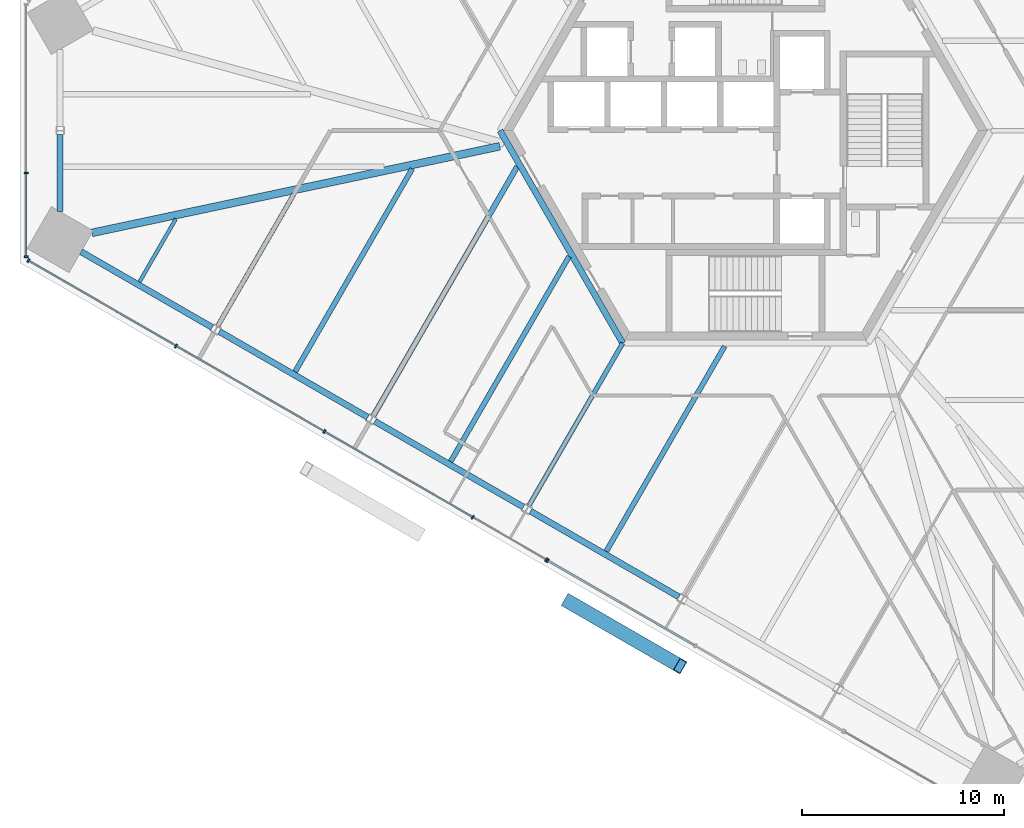
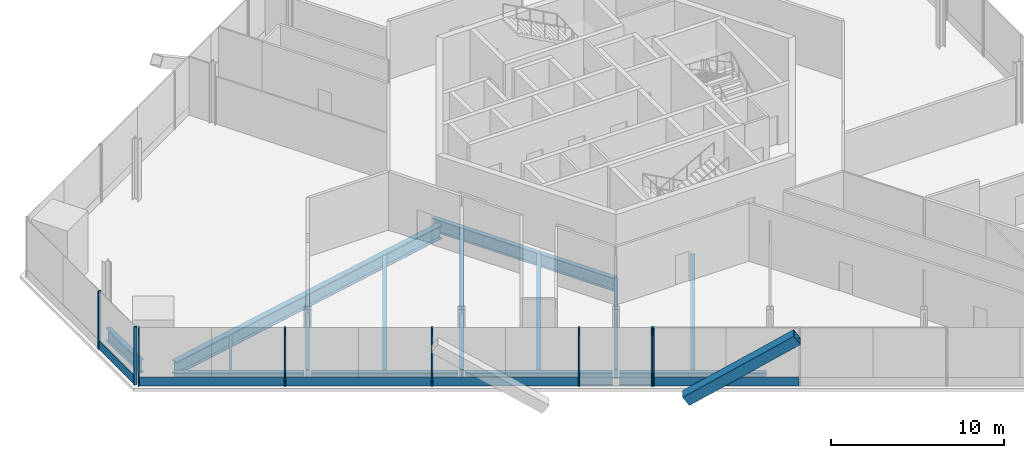
# One storey, part 3 of 16: 14 beams, 14 members, 3 elements without a shape of their own.
"""IFC4 building model written with IfcOpenShell, lengths in metres."""

from ifc_helpers import new_model, si_unit, direction, frame, origin, origin_2d, place, context, subcontext, project, spatial, rectangle, hollow_rectangle, i_section, extrude, source, transform, mapped, material, material_profile, profile_set, type_object, element, aggregate, save


model = new_model("IFC4")

# Units and contexts
model_context = context("Model", 3, precision=1e-05, world=origin(), true_north=direction((0.0, 1.0)))
body_context = subcontext(model_context, "Body", "Model", "MODEL_VIEW")
ifc_project = project(units=[si_unit("LENGTHUNIT", "METRE"), si_unit("AREAUNIT", "SQUARE_METRE"), si_unit("VOLUMEUNIT", "CUBIC_METRE"), si_unit("PLANEANGLEUNIT", "RADIAN"), si_unit("MASSUNIT", "GRAM", prefix="KILO")], contexts=[model_context])

# Site, building, storey
site_placement = place(None, origin())
site = spatial("IfcSite", under=ifc_project, at=site_placement, CompositionType="ELEMENT")
building_placement = place(site_placement, origin())
building = spatial("IfcBuilding", under=site, at=building_placement, Name="Triune Harvest Tower", CompositionType="ELEMENT")
storey_placement = place(building_placement, frame((0.0, 0.0, 37.5)))
storey = spatial("IfcBuildingStorey", under=building, at=storey_placement, Name="L08", CompositionType="ELEMENT", Elevation=37.5)

# Beams
ifc_material_1 = material(Name="Steel ASTM A992 Gr 50", Category="steel")
ifc_material_profile_1 = material_profile(ifc_material_1, i_section(OverallWidth=0.3046875, OverallDepth=0.914306640625, WebThickness=0.0166015625, FlangeThickness=0.02587890625, at=origin_2d()), Name="W36x160")
ifc_profile_set_1 = profile_set([ifc_material_profile_1], Name="Steel ASTM A992 Gr 50")
beam_type_1 = type_object("IfcBeamType", Name="CG-1 Core ring girder W36x160", PredefinedType="BEAM", material=ifc_profile_set_1)
shared_shape_1 = source(origin(), body_context, "Body", "SweptSolid", [
    extrude(i_section(OverallWidth=0.3046875, OverallDepth=0.914306640625, WebThickness=0.0166015625, FlangeThickness=0.02587890625, at=origin_2d()), origin(), (0.0, 0.0, 1.0), 12.176025390625),
])
beam_1_placement = place(storey_placement, frame((-12.176025390625, 0.0, -0.6572265625), z_axis=(0.5000099932, -0.866019634131, 0.0), x_axis=(0.866019634131, 0.5000099932, 0.0)))
element("IfcBeam", 1, at=beam_1_placement, inside=storey, type_object=beam_type_1, Name="beam/L08/CG4", PredefinedType="BEAM", context=body_context, shape_type="MappedRepresentation", body=[
    mapped(shared_shape_1, transform((0.0, 0.0, 0.0), scale=1.0)),
])
ifc_material_2 = material(Name="Steel ASTM A992 Gr 50", Category="steel")
ifc_material_profile_2 = material_profile(ifc_material_2, i_section(OverallWidth=0.383544921875, OverallDepth=0.9423828125, WebThickness=0.022216796875, FlangeThickness=0.039794921875, at=origin_2d()), Name="W36x232")
ifc_profile_set_2 = profile_set([ifc_material_profile_2], Name="Steel ASTM A992 Gr 50")
beam_type_2 = type_object("IfcBeamType", Name="HG-1 Hip girder W36x232", PredefinedType="BEAM", material=ifc_profile_set_2)
shared_shape_2 = source(origin(), body_context, "Body", "SweptSolid", [
    extrude(i_section(OverallWidth=0.383544921875, OverallDepth=0.9423828125, WebThickness=0.022216796875, FlangeThickness=0.039794921875, at=origin_2d()), origin(), (0.0, 0.0, 1.0), 20.676025390625),
])
beam_2_placement = place(storey_placement, frame((-32.4091796875, -5.07470703125, -0.671142578125), z_axis=(0.978185071399, 0.207735327022, 0.0), x_axis=(-0.207735327022, 0.978185071399, 0.0)))
element("IfcBeam", 2, at=beam_2_placement, inside=storey, type_object=beam_type_2, Name="beam/L08/HG5", PredefinedType="BEAM", context=body_context, shape_type="MappedRepresentation", body=[
    mapped(shared_shape_2, transform((0.0, 0.0, 0.0), scale=1.0)),
])
ifc_material_3 = material(Name="Steel ASTM A992 Gr 50", Category="steel")
ifc_material_profile_3 = material_profile(ifc_material_3, i_section(OverallWidth=0.22900390625, OverallDepth=0.612060546875, WebThickness=0.011962890625, FlangeThickness=0.01953125, at=origin_2d()), Name="W24x84")
ifc_profile_set_3 = profile_set([ifc_material_profile_3], Name="Steel ASTM A992 Gr 50")
beam_type_3 = type_object("IfcBeamType", Name="JT-3 Floor joist W24x84", PredefinedType="JOIST", material=ifc_profile_set_3)
shared_shape_3 = source(origin(), body_context, "Body", "SweptSolid", [
    extrude(i_section(OverallWidth=0.22900390625, OverallDepth=0.612060546875, WebThickness=0.011962890625, FlangeThickness=0.01953125, at=origin_2d()), origin(), (0.0, 0.0, 1.0), 7.558349609375),
])
beam_3_placement = place(storey_placement, frame((-26.170654296875, -9.68896484375, -0.506103515625), z_axis=(0.499991809969, 0.866030132249, 0.0), x_axis=(-0.866030132249, 0.499991809969, 0.0)))
element("IfcBeam", 3, at=beam_3_placement, inside=storey, type_object=beam_type_3, Name="beam/L08/JT28", PredefinedType="JOIST", context=body_context, shape_type="MappedRepresentation", body=[
    mapped(shared_shape_3, transform((0.0, 0.0, 0.0), scale=1.0)),
])
ifc_material_4 = material(Name="Steel ASTM A992 Gr 50", Category="steel")
ifc_material_profile_4 = material_profile(ifc_material_4, i_section(OverallWidth=0.2666015625, OverallDepth=0.7568359375, WebThickness=0.013916015625, FlangeThickness=0.019287109375, at=origin_2d()), Name="W30x108")
ifc_profile_set_4 = profile_set([ifc_material_profile_4], Name="Steel ASTM A992 Gr 50")
beam_type_4 = type_object("IfcBeamType", Name="JT-5 Floor joist W30x108", PredefinedType="JOIST", material=ifc_profile_set_4)
shared_shape_4 = source(origin(), body_context, "Body", "SweptSolid", [
    extrude(i_section(OverallWidth=0.2666015625, OverallDepth=0.7568359375, WebThickness=0.013916015625, FlangeThickness=0.019287109375, at=origin_2d()), origin(), (0.0, 0.0, 1.0), 14.2685546875),
])
beam_4_placement = place(storey_placement, frame((-18.454345703125, -14.14404296875, -0.57861328125), z_axis=(0.499987083308, 0.866032861112, 0.0), x_axis=(-0.866032861112, 0.499987083308, 0.0)))
element("IfcBeam", 4, at=beam_4_placement, inside=storey, type_object=beam_type_4, Name="beam/L08/JT30", PredefinedType="JOIST", context=body_context, shape_type="MappedRepresentation", body=[
    mapped(shared_shape_4, transform((0.0, 0.0, 0.0), scale=1.0)),
])
shared_shape_5 = source(origin(), body_context, "Body", "SweptSolid", [
    extrude(i_section(OverallWidth=0.22900390625, OverallDepth=0.612060546875, WebThickness=0.011962890625, FlangeThickness=0.01953125, at=origin_2d()), origin(), (0.0, 0.0, 1.0), 9.300537109375),
])
beam_5_placement = place(storey_placement, frame((-10.738037109375, -18.59912109375, -0.506103515625), z_axis=(0.49999285859, 0.86602952684, 0.0), x_axis=(-0.86602952684, 0.49999285859, 0.0)))
element("IfcBeam", 5, at=beam_5_placement, inside=storey, type_object=beam_type_3, Name="beam/L08/JT32", PredefinedType="JOIST", context=body_context, shape_type="MappedRepresentation", body=[
    mapped(shared_shape_5, transform((0.0, 0.0, 0.0), scale=1.0)),
])
ifc_material_5 = material(Name="Steel ASTM A992 Gr 50", Category="steel")
ifc_material_profile_5 = material_profile(ifc_material_5, i_section(OverallWidth=0.3046875, OverallDepth=0.914306640625, WebThickness=0.0166015625, FlangeThickness=0.02587890625, at=origin_2d()), Name="W36x160")
ifc_profile_set_5 = profile_set([ifc_material_profile_5], Name="Steel ASTM A992 Gr 50")
beam_type_5 = type_object("IfcBeamType", Name="SB-1 Spandrel beam W36x160", PredefinedType="SPANDREL", material=ifc_profile_set_5)
shared_shape_6 = source(origin(), body_context, "Body", "SweptSolid", [
    extrude(i_section(OverallWidth=0.3046875, OverallDepth=0.914306640625, WebThickness=0.0166015625, FlangeThickness=0.02587890625, at=origin_2d()), origin(), (0.0, 0.0, 1.0), 7.508056640625),
])
beam_6_placement = place(storey_placement, frame((-32.949462890625, -6.010009765625, -0.6572265625), z_axis=(0.866033425553, -0.499986105632, 0.0), x_axis=(0.499986105632, 0.866033425553, 0.0)))
element("IfcBeam", 6, at=beam_6_placement, inside=storey, type_object=beam_type_5, Name="beam/L08/SB17", PredefinedType="SPANDREL", context=body_context, shape_type="MappedRepresentation", body=[
    mapped(shared_shape_6, transform((0.0, 0.0, 0.0), scale=1.0)),
])
shared_shape_7 = source(origin(), body_context, "Body", "SweptSolid", [
    extrude(i_section(OverallWidth=0.3046875, OverallDepth=0.914306640625, WebThickness=0.0166015625, FlangeThickness=0.02587890625, at=origin_2d()), origin(), (0.0, 0.0, 1.0), 8.506103515625),
])
for number, where, z_axis, x_axis, name in (
    (7, (-26.097412109375, -9.966064453125, -0.6572265625), (0.866030246746, -0.49999161165, 0.0), (0.49999161165, 0.866030246746, 0.0), "beam/L08/SB18"),
    (8, (-18.381103515625, -14.4208984375, -0.6572265625), (0.866017818397, -0.500013138047, 0.0), (0.500013138047, 0.866017818397, 0.0), "beam/L08/SB19"),
    (9, (-10.664794921875, -18.8759765625, -0.6572265625), (0.866030246746, -0.49999161165, 0.0), (0.49999161165, 0.866030246746, 0.0), "beam/L08/SB20"),
):
    element("IfcBeam", number, at=place(storey_placement, frame(where, z_axis=z_axis, x_axis=x_axis)), inside=storey, type_object=beam_type_5, Name=name, PredefinedType="SPANDREL", context=body_context, shape_type="MappedRepresentation", body=[
        mapped(shared_shape_7, transform((0.0, 0.0, 0.0), scale=1.0)),
    ])
shared_shape_8 = source(origin(), body_context, "Body", "SweptSolid", [
    extrude(i_section(OverallWidth=0.3046875, OverallDepth=0.914306640625, WebThickness=0.0166015625, FlangeThickness=0.02587890625, at=origin_2d()), origin(), (0.0, 0.0, 1.0), 3.822509765625),
])
beam_7_placement = place(storey_placement, frame((-33.988525390625, -0.201904296875, -0.6572265625), z_axis=(0.0, -1.0, 0.0), x_axis=(1.0, 0.0, 0.0)))
element("IfcBeam", 10, at=beam_7_placement, inside=storey, type_object=beam_type_5, Name="beam/L08/SB16", PredefinedType="SPANDREL", context=body_context, shape_type="MappedRepresentation", body=[
    mapped(shared_shape_8, transform((0.0, 0.0, 0.0), scale=1.0)),
])
ifc_material_6 = material(Name="Steel ASTM A992 Gr 50", Category="steel")
ifc_material_profile_6 = material_profile(ifc_material_6, i_section(OverallWidth=0.253662109375, OverallDepth=0.683349609375, WebThickness=0.012451171875, FlangeThickness=0.01904296875, at=origin_2d()), Name="W27x94")
ifc_profile_set_6 = profile_set([ifc_material_profile_6], Name="Steel ASTM A992 Gr 50")
beam_type_6 = type_object("IfcBeamType", Name="JT-4 Floor joist W27x94", PredefinedType="JOIST", material=ifc_profile_set_6)
shared_shape_9 = source(origin(), body_context, "Body", "SweptSolid", [
    extrude(i_section(OverallWidth=0.253662109375, OverallDepth=0.683349609375, WebThickness=0.012451171875, FlangeThickness=0.01904296875, at=origin_2d()), origin(), (0.0, 0.0, 1.0), 11.618896484375),
])
beam_8_placement = place(storey_placement, frame((-22.337890625, -11.96044921875, -0.54150390625), z_axis=(0.500008015982, 0.866020775706, 0.0), x_axis=(-0.866020775706, 0.500008015982, 0.0)))
element("IfcBeam", 11, at=beam_8_placement, inside=storey, type_object=beam_type_6, Name="beam/L08/JT29", PredefinedType="JOIST", context=body_context, shape_type="MappedRepresentation", body=[
    mapped(shared_shape_9, transform((0.0, 0.0, 0.0), scale=1.0)),
])
shared_shape_10 = source(origin(), body_context, "Body", "SweptSolid", [
    extrude(i_section(OverallWidth=0.253662109375, OverallDepth=0.683349609375, WebThickness=0.012451171875, FlangeThickness=0.01904296875, at=origin_2d()), origin(), (0.0, 0.0, 1.0), 11.74755859375),
])
beam_9_placement = place(storey_placement, frame((-6.905517578125, -20.87060546875, -0.54150390625), z_axis=(0.500003693016, 0.86602327161, 0.0), x_axis=(-0.86602327161, 0.500003693016, 0.0)))
element("IfcBeam", 12, at=beam_9_placement, inside=storey, type_object=beam_type_6, Name="beam/L08/JT33", PredefinedType="JOIST", context=body_context, shape_type="MappedRepresentation", body=[
    mapped(shared_shape_10, transform((0.0, 0.0, 0.0), scale=1.0)),
])
shared_shape_11 = source(origin(), body_context, "Body", "SweptSolid", [
    extrude(i_section(OverallWidth=0.253662109375, OverallDepth=0.683349609375, WebThickness=0.012451171875, FlangeThickness=0.01904296875, at=origin_2d()), origin(), (0.0, 0.0, 1.0), 11.7470703125),
])
beam_10_placement = place(storey_placement, frame((-14.62158203125, -16.41552734375, -0.54150390625), z_axis=(0.49999710518, 0.866027075103, 0.0), x_axis=(-0.866027075103, 0.49999710518, 0.0)))
element("IfcBeam", 13, at=beam_10_placement, inside=storey, type_object=beam_type_6, Name="beam/L08/JT31", PredefinedType="JOIST", context=body_context, shape_type="MappedRepresentation", body=[
    mapped(shared_shape_11, transform((0.0, 0.0, 0.0), scale=1.0)),
])
ifc_material_7 = material(Name="Steel ASTM A992 Gr 50", Category="steel")
ifc_material_profile_7 = material_profile(ifc_material_7, i_section(OverallWidth=0.180908203125, OverallDepth=0.41650390625, WebThickness=0.010986328125, FlangeThickness=0.01806640625, at=origin_2d()), Name="W16x57")
ifc_profile_set_7 = profile_set([ifc_material_profile_7], Name="Steel ASTM A992 Gr 50")
beam_type_7 = type_object("IfcBeamType", Name="JT-1 Floor joist W16x57", PredefinedType="JOIST", material=ifc_profile_set_7)
shared_shape_12 = source(origin(), body_context, "Body", "SweptSolid", [
    extrude(i_section(OverallWidth=0.180908203125, OverallDepth=0.41650390625, WebThickness=0.010986328125, FlangeThickness=0.01806640625, at=origin_2d()), origin(), (0.0, 0.0, 1.0), 3.599609375),
])
beam_11_placement = place(storey_placement, frame((-30.05419921875, -7.505615234375, -0.408203125), z_axis=(0.499990559667, 0.866030854095, 0.0), x_axis=(-0.866030854095, 0.499990559667, 0.0)))
element("IfcBeam", 14, at=beam_11_placement, inside=storey, type_object=beam_type_7, Name="beam/L08/JT27", PredefinedType="JOIST", context=body_context, shape_type="MappedRepresentation", body=[
    mapped(shared_shape_12, transform((0.0, 0.0, 0.0), scale=1.0)),
])

# Member
ifc_material_8 = material(Name="Steel ASTM A572 Gr 50", Category="steel")
ifc_material_profile_8 = material_profile(ifc_material_8, hollow_rectangle(XDim=0.699951171875, YDim=0.699951171875, WallThickness=0.0400390625, at=origin_2d()), Name="Box 700x700x40")
ifc_profile_set_8 = profile_set([ifc_material_profile_8], Name="Steel ASTM A572 Gr 50")
member_type_1 = type_object("IfcMemberType", Name="BR-1 Brace Box 700x700x40", PredefinedType="BRACE", material=ifc_profile_set_8)
shared_shape_13 = source(origin(), body_context, "Body", "SweptSolid", [
    extrude(hollow_rectangle(XDim=0.699951171875, YDim=0.699951171875, WallThickness=0.0400390625, at=origin_2d()), origin(), (0.0, 0.0, 1.0), 7.728515625),
])
member_1_placement = place(storey_placement, frame((-8.80322265625, -23.347900390625, 0.0), z_axis=(0.719613461056, -0.415436199576, 0.556389459595), x_axis=(0.499970370671, 0.86604250961, 0.0)))
element("IfcMember", 15, at=member_1_placement, inside=storey, type_object=member_type_1, Name="brace/B1-F5/d1/6", PredefinedType="BRACE", context=body_context, shape_type="MappedRepresentation", body=[
    mapped(shared_shape_13, transform((0.0, 0.0, 0.0), scale=1.0)),
])

# Curtain wall, members
ifc_material_9 = material(Name="Aluminium bronze anodised", Category="aluminium")
curtain_wall_type_1 = type_object("IfcCurtainWallType", Name="CW-3 Farm floor curtain wall", PredefinedType="NOTDEFINED", material=ifc_material_9)
curtain_wall_1_placement = place(storey_placement, origin())
curtain_wall_1 = element("IfcCurtainWall", 16, at=curtain_wall_1_placement, inside=storey, type_object=curtain_wall_type_1, Name="CW-3 B1-F4 L08 run 1")
ifc_material_10 = material(Name="Aluminium bronze anodised", Category="aluminium")
ifc_material_profile_9 = material_profile(ifc_material_10, rectangle(XDim=0.199951171875, YDim=0.080078125, at=origin_2d()), Name="MU-3 mullion 80 x 200")
ifc_profile_set_9 = profile_set([ifc_material_profile_9], Name="Aluminium bronze anodised")
member_type_2 = type_object("IfcMemberType", Name="MU-3 mullion 80 x 200", PredefinedType="MULLION", material=ifc_profile_set_9)
shared_shape_14 = source(origin(), body_context, "Body", "SweptSolid", [
    extrude(rectangle(XDim=0.199951171875, YDim=0.080078125, at=origin_2d()), origin(), (0.0, 0.0, 1.0), 4.10009765625),
])
member_2_placement = place(storey_placement, frame((-35.680419921875, -2.098876953125, 0.0), z_axis=(0.0, 0.0, 1.0), x_axis=(1.0, 0.0, 0.0)))
member_2 = element("IfcMember", 17, at=member_2_placement, type_object=member_type_2, Name="CW-3 mullion B1-F4 1.3", PredefinedType="MULLION", context=body_context, shape_type="MappedRepresentation", body=[
    mapped(shared_shape_14, transform((0.0, 0.0, 0.0), scale=1.0)),
])
member_3_placement = place(storey_placement, frame((-35.680419921875, -6.2568359375, 0.0), z_axis=(0.0, 0.0, 1.0), x_axis=(1.0, 0.0, 0.0)))
member_3 = element("IfcMember", 18, at=member_3_placement, type_object=member_type_2, Name="CW-3 mullion B1-F4 1.4", PredefinedType="MULLION", context=body_context, shape_type="MappedRepresentation", body=[
    mapped(shared_shape_14, transform((0.0, 0.0, 0.0), scale=1.0)),
])

curtain_wall_2_placement = place(storey_placement, origin())
curtain_wall_2 = element("IfcCurtainWall", 19, at=curtain_wall_2_placement, inside=storey, type_object=curtain_wall_type_1, Name="CW-3 B1-F5 L08 run 1")
member_4_placement = place(storey_placement, frame((-35.56787109375, -6.451904296875, 0.0), z_axis=(0.0, 0.0, 1.0), x_axis=(0.499999665853, 0.866025596704, 0.0)))
member_4 = element("IfcMember", 20, at=member_4_placement, type_object=member_type_2, Name="CW-3 mullion B1-F5 1.1", PredefinedType="MULLION", context=body_context, shape_type="MappedRepresentation", body=[
    mapped(shared_shape_14, transform((0.0, 0.0, 0.0), scale=1.0)),
])
member_5_placement = place(storey_placement, frame((-28.243408203125, -10.6806640625, 0.0), z_axis=(0.0, 0.0, 1.0), x_axis=(0.499999665853, 0.866025596704, 0.0)))
member_5 = element("IfcMember", 21, at=member_5_placement, type_object=member_type_2, Name="CW-3 mullion B1-F5 1.3", PredefinedType="MULLION", context=body_context, shape_type="MappedRepresentation", body=[
    mapped(shared_shape_14, transform((0.0, 0.0, 0.0), scale=1.0)),
])
member_6_placement = place(storey_placement, frame((-20.884521484375, -14.92919921875, 0.0), z_axis=(0.0, 0.0, 1.0), x_axis=(0.499999665853, 0.866025596704, 0.0)))
member_6 = element("IfcMember", 22, at=member_6_placement, type_object=member_type_2, Name="CW-3 mullion B1-F5 1.5", PredefinedType="MULLION", context=body_context, shape_type="MappedRepresentation", body=[
    mapped(shared_shape_14, transform((0.0, 0.0, 0.0), scale=1.0)),
])
member_7_placement = place(storey_placement, frame((-13.525390625, -19.177978515625, 0.0), z_axis=(0.0, 0.0, 1.0), x_axis=(0.499999665853, 0.866025596704, 0.0)))
member_7 = element("IfcMember", 23, at=member_7_placement, type_object=member_type_2, Name="CW-3 mullion B1-F5 1.7", PredefinedType="MULLION", context=body_context, shape_type="MappedRepresentation", body=[
    mapped(shared_shape_14, transform((0.0, 0.0, 0.0), scale=1.0)),
])
member_8_placement = place(storey_placement, frame((-9.880615234375, -21.282470703125, 0.0), z_axis=(0.0, 0.0, 1.0), x_axis=(0.499999665853, 0.866025596704, 0.0)))
member_8 = element("IfcMember", 24, at=member_8_placement, type_object=member_type_2, Name="CW-3 mullion B1-F5 1.8", PredefinedType="MULLION", context=body_context, shape_type="MappedRepresentation", body=[
    mapped(shared_shape_14, transform((0.0, 0.0, 0.0), scale=1.0)),
])

# Curtain wall, member
ifc_material_11 = material(Name="Aluminium bronze anodised", Category="aluminium")
curtain_wall_type_2 = type_object("IfcCurtainWallType", Name="CW-8 Farm floor curtain wall with insulated spandrel infill", PredefinedType="NOTDEFINED", material=ifc_material_11)
curtain_wall_3_placement = place(storey_placement, origin())
curtain_wall_3 = element("IfcCurtainWall", 25, at=curtain_wall_3_placement, inside=storey, type_object=curtain_wall_type_2, Name="CW-8 B1-F5 L08 run 1001")
member_9_placement = place(storey_placement, frame((-9.811279296875, -21.322509765625, 0.0), z_axis=(0.0, 0.0, 1.0), x_axis=(0.500002592159, 0.866023907196, 0.0)))
member_9 = element("IfcMember", 26, at=member_9_placement, type_object=member_type_2, Name="CW-8 mullion B1-F5 1001.1", PredefinedType="MULLION", context=body_context, shape_type="MappedRepresentation", body=[
    mapped(shared_shape_14, transform((0.0, 0.0, 0.0), scale=1.0)),
])

# Member
ifc_material_12 = material(Name="Aluminium bronze anodised", Category="aluminium")
ifc_material_profile_10 = material_profile(ifc_material_12, rectangle(XDim=0.090087890625, YDim=0.60009765625, at=origin_2d()), Name="TR-3 transom 90 x 600")
ifc_profile_set_10 = profile_set([ifc_material_profile_10], Name="Aluminium bronze anodised")
member_type_3 = type_object("IfcMemberType", Name="TR-3 transom 90 x 600", PredefinedType="USERDEFINED", material=ifc_profile_set_10)
shared_shape_15 = source(origin(), body_context, "Body", "SweptSolid", [
    extrude(rectangle(XDim=0.090087890625, YDim=0.60009765625, at=origin_2d()), origin(), (0.0, 0.0, 1.0), 4.077880859375),
])
member_10_placement = place(storey_placement, frame((-35.680419921875, -2.138916015625, 0.300048828125), z_axis=(0.0, -1.0, 0.0), x_axis=(1.0, 0.0, 0.0)))
member_10 = element("IfcMember", 27, at=member_10_placement, type_object=member_type_3, Name="CW-3 transom B1-F4 1.2", ObjectType="TRANSOM", PredefinedType="USERDEFINED", context=body_context, shape_type="MappedRepresentation", body=[
    mapped(shared_shape_15, transform((0.0, 0.0, 0.0), scale=1.0)),
])

aggregate(curtain_wall_1, [member_2, member_3, member_10])

shared_shape_16 = source(origin(), body_context, "Body", "SweptSolid", [
    extrude(rectangle(XDim=0.090087890625, YDim=0.60009765625, at=origin_2d()), origin(), (0.0, 0.0, 1.0), 8.41748046875),
])
member_11_placement = place(storey_placement, frame((-28.208984375, -10.700439453125, 0.300048828125), z_axis=(0.866026680883, -0.499997787995, 0.0), x_axis=(0.499997787995, 0.866026680883, 0.0)))
member_11 = element("IfcMember", 28, at=member_11_placement, type_object=member_type_3, Name="CW-3 transom B1-F5 1.2", ObjectType="TRANSOM", PredefinedType="USERDEFINED", context=body_context, shape_type="MappedRepresentation", body=[
    mapped(shared_shape_16, transform((0.0, 0.0, 0.0), scale=1.0)),
])

member_12_placement = place(storey_placement, frame((-20.849853515625, -14.94921875, 0.300048828125), z_axis=(0.866026680883, -0.499997787995, 0.0), x_axis=(0.499997787995, 0.866026680883, 0.0)))
member_12 = element("IfcMember", 29, at=member_12_placement, type_object=member_type_3, Name="CW-3 transom B1-F5 1.3", ObjectType="TRANSOM", PredefinedType="USERDEFINED", context=body_context, shape_type="MappedRepresentation", body=[
    mapped(shared_shape_16, transform((0.0, 0.0, 0.0), scale=1.0)),
])

shared_shape_17 = source(origin(), body_context, "Body", "SweptSolid", [
    extrude(rectangle(XDim=0.090087890625, YDim=0.60009765625, at=origin_2d()), origin(), (0.0, 0.0, 1.0), 8.377685546875),
])
member_13_placement = place(storey_placement, frame((-35.533203125, -6.4716796875, 0.300048828125), z_axis=(0.866014273083, -0.500019278445, 0.0), x_axis=(0.500019278445, 0.866014273083, 0.0)))
member_13 = element("IfcMember", 30, at=member_13_placement, type_object=member_type_3, Name="CW-3 transom B1-F5 1.1", ObjectType="TRANSOM", PredefinedType="USERDEFINED", context=body_context, shape_type="MappedRepresentation", body=[
    mapped(shared_shape_17, transform((0.0, 0.0, 0.0), scale=1.0)),
])

aggregate(curtain_wall_2, [member_4, member_5, member_6, member_7, member_8, member_13, member_11, member_12])

member_14_placement = place(storey_placement, frame((-9.776611328125, -21.34228515625, 0.300048828125), z_axis=(0.866014273083, -0.500019278445, 0.0), x_axis=(0.500019278445, 0.866014273083, 0.0)))
member_14 = element("IfcMember", 31, at=member_14_placement, type_object=member_type_3, Name="CW-8 transom B1-F5 1001.1", ObjectType="TRANSOM", PredefinedType="USERDEFINED", context=body_context, shape_type="MappedRepresentation", body=[
    mapped(shared_shape_17, transform((0.0, 0.0, 0.0), scale=1.0)),
])

aggregate(curtain_wall_3, [member_9, member_14])

save(model, "model.ifc")
